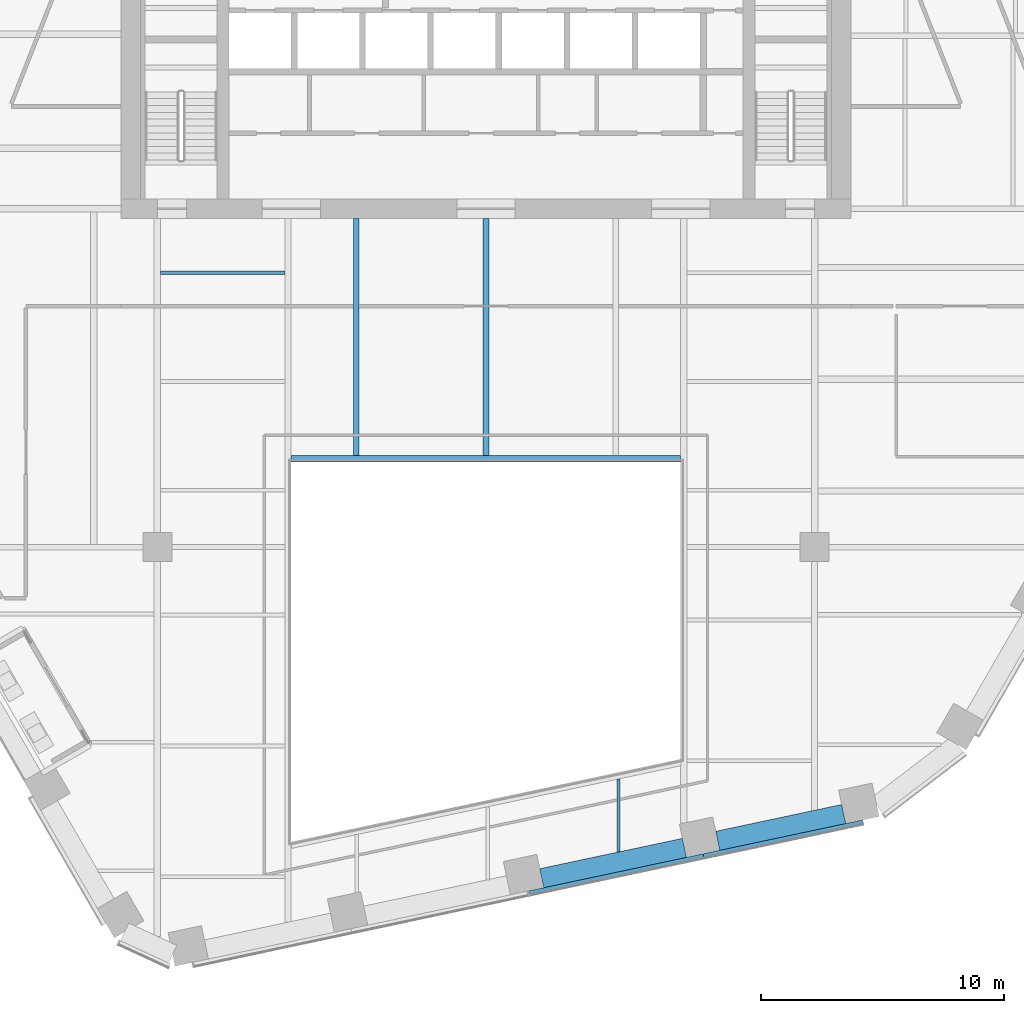
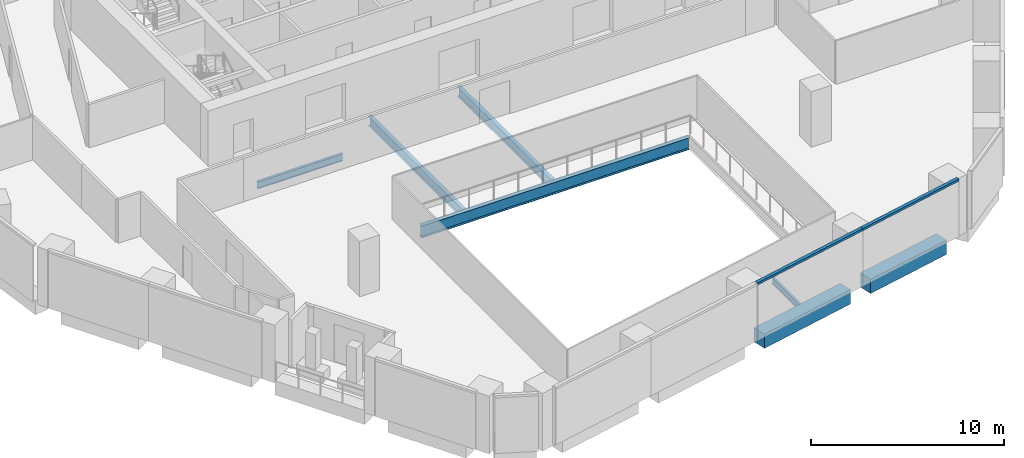
# One storey, part 5 of 26: 7 beams, 2 members, 1 element without a shape of its own.
"""IFC4 building model written with IfcOpenShell, lengths in metres."""

import ifcopenshell
import ifcopenshell.guid

model = None  # the IFC model being written
_history = None  # IfcOwnerHistory: only IFC2X3 demands one
_inside = {}  # id of a spatial element -> (the spatial element, [elements in it])
_under = {}  # id of a project, library or spatial element -> (it, [spatial elements below it])
_declared = {}  # id of a project -> (the project, [libraries it declares])
_typed = {}  # id of a type object -> (the type object, [elements of that type])
_made_of = {}  # id of a material, layer set ... -> (it, [elements and type objects made of it])


def new_model(schema):
    """Start an empty IFC model of exactly this schema.

    Asked for "IFC4X3", IfcOpenShell would pick the latest addendum, in which some entities
    have other attributes; the version numbers below select the first issue.
    IFC2X3 requires an IfcOwnerHistory on every rooted entity: one is made here for all.
    """
    global model, _history
    if schema == "IFC4X3":
        model = ifcopenshell.file(schema_version=(4, 3, 0, 0))
    else:
        model = ifcopenshell.file(schema=schema)
    _inside.clear()
    _under.clear()
    _declared.clear()
    _typed.clear()
    _made_of.clear()
    _history = None
    if model.schema == "IFC2X3":
        org = make("IfcOrganization", Name="unknown")
        user = make(
            "IfcPersonAndOrganization",
            ThePerson=make("IfcPerson", FamilyName="unknown"),
            TheOrganization=org,
        )
        app = make(
            "IfcApplication",
            ApplicationDeveloper=org,
            Version="unknown",
            ApplicationFullName="unknown",
            ApplicationIdentifier="unknown",
        )
        _history = make(
            "IfcOwnerHistory",
            OwningUser=user,
            OwningApplication=app,
            ChangeAction="ADDED",
            CreationDate=0,
        )
    return model


def make(cls, **values):
    """One entity of the class cls with the attributes given. An attribute that is None is left unset."""
    return model.create_entity(
        cls, **{name: value for name, value in values.items() if value is not None}
    )


def rooted(cls, **values):
    """An entity with a GlobalId (a new one), such as an element, a storey or a relation."""
    return make(cls, GlobalId=ifcopenshell.guid.new(), OwnerHistory=_history, **values)


def si_unit(unit_type, name, prefix=None):
    """IfcSIUnit, for example si_unit("LENGTHUNIT", "METRE", prefix="MILLI")."""
    return make("IfcSIUnit", UnitType=unit_type, Prefix=prefix, Name=name)


def assignment(units):
    """IfcUnitAssignment: the units of a project."""
    return None if units is None else make("IfcUnitAssignment", Units=units)


def point(xyz):
    """IfcCartesianPoint."""
    return None if xyz is None else make("IfcCartesianPoint", Coordinates=xyz)


def direction(xyz):
    """IfcDirection."""
    return None if xyz is None else make("IfcDirection", DirectionRatios=xyz)


def frame(location, z_axis=None, x_axis=None):
    """IfcAxis2Placement3D, a coordinate frame: its origin and axes. An axis left out is left unset."""
    return make(
        "IfcAxis2Placement3D",
        Location=point(location),
        Axis=direction(z_axis),
        RefDirection=direction(x_axis),
    )


def frame_2d(location, x_axis=None):
    """IfcAxis2Placement2D, a coordinate frame in the plane: its origin and x axis."""
    return make(
        "IfcAxis2Placement2D", Location=point(location), RefDirection=direction(x_axis)
    )


def origin():
    """The frame at (0, 0, 0) with its axes left unset."""
    return frame((0.0, 0.0, 0.0))


def origin_2d():
    """The frame at (0, 0) in the plane with its x axis left unset."""
    return frame_2d((0.0, 0.0))


def place(relative_to, where):
    """IfcLocalPlacement: puts the frame where relative to a parent placement (None: the world)."""
    return make(
        "IfcLocalPlacement", PlacementRelTo=relative_to, RelativePlacement=where
    )


def context(
    kind, dimensions, precision=None, world=None, true_north=None, identifier=None
):
    """IfcGeometricRepresentationContext, for example the 3D "Model" context."""
    return make(
        "IfcGeometricRepresentationContext",
        ContextIdentifier=identifier,
        ContextType=kind,
        CoordinateSpaceDimension=dimensions,
        Precision=precision,
        WorldCoordinateSystem=world,
        TrueNorth=true_north,
    )


def subcontext(parent, identifier, kind, view, scale=None):
    """IfcGeometricRepresentationSubContext, for example "Body" below "Model"."""
    return make(
        "IfcGeometricRepresentationSubContext",
        ContextIdentifier=identifier,
        ContextType=kind,
        ParentContext=parent,
        TargetScale=scale,
        TargetView=view,
    )


def project(units=None, contexts=None):
    """IfcProject with its units and contexts."""
    return rooted(
        "IfcProject",
        Name="project",
        RepresentationContexts=contexts,
        UnitsInContext=assignment(units),
    )


def spatial(cls, under=None, at=None, **own):
    """A site, building, storey or space (cls), placed at a placement, below another one or the project."""
    s = rooted(cls, ObjectPlacement=at, **own)
    if under is not None:
        _under.setdefault(under.id(), (under, []))[1].append(s)
    return s


def profile(cls, at=None, kind="AREA", **sizes):
    """A parametric profile (cls). Its sizes go by their IFC names, for example OverallWidth=200.0."""
    return make(cls, ProfileType=kind, Position=at, **sizes)


def rectangle(**sizes):
    """IfcRectangleProfileDef."""
    return profile("IfcRectangleProfileDef", **sizes)


def i_section(**sizes):
    """IfcIShapeProfileDef."""
    return profile("IfcIShapeProfileDef", **sizes)


def extrude(swept, where, along, depth):
    """IfcExtrudedAreaSolid: the profile swept, set in the frame where, extruded along a direction by depth."""
    return make(
        "IfcExtrudedAreaSolid",
        SweptArea=swept,
        Position=where,
        ExtrudedDirection=direction(along),
        Depth=depth,
    )


def shape(context_of_items, identifier, shape_type, items):
    """IfcShapeRepresentation: the items that make up one representation, for example the "Body"."""
    return make(
        "IfcShapeRepresentation",
        ContextOfItems=context_of_items,
        RepresentationIdentifier=identifier,
        RepresentationType=shape_type,
        Items=items,
    )


def material(Name=None, Category=None):
    """IfcMaterial."""
    return make("IfcMaterial", Name=Name, Category=Category)


def layer(
    of_material, thickness, ventilated=None, Name=None, Category=None, Priority=None
):
    """IfcMaterialLayer: one layer of a wall or slab, of a material (None: an air gap)."""
    return make(
        "IfcMaterialLayer",
        Material=of_material,
        LayerThickness=thickness,
        IsVentilated=ventilated,
        Name=Name,
        Category=Category,
        Priority=Priority,
    )


def layer_set(layers, Name=None):
    """IfcMaterialLayerSet."""
    return make("IfcMaterialLayerSet", MaterialLayers=layers, LayerSetName=Name)


def material_profile(
    of_material, cross_section, Name=None, Category=None, Priority=None
):
    """IfcMaterialProfile: a cross section and its material."""
    return make(
        "IfcMaterialProfile",
        Name=Name,
        Material=of_material,
        Profile=cross_section,
        Priority=Priority,
        Category=Category,
    )


def profile_set(profiles, Name=None, composite=None):
    """IfcMaterialProfileSet."""
    return make(
        "IfcMaterialProfileSet",
        Name=Name,
        MaterialProfiles=profiles,
        CompositeProfile=composite,
    )


def made_of(thing, what):
    """Note that an element or type object is made of a material, layer set ...; save() writes the relation."""
    if what is not None:
        _made_of.setdefault(what.id(), (what, []))[1].append(thing)
    return thing


def type_object(cls, material=None, **own):
    """A type object (cls), such as IfcWallType, which elements share."""
    return made_of(rooted(cls, **own), material)


def element(
    cls,
    number,
    at=None,
    inside=None,
    cuts=None,
    type_object=None,
    material=None,
    context=None,
    identifier="Body",
    shape_type=None,
    held_by="IfcProductDefinitionShape",
    body=None,
    shapes=None,
    **own,
):
    """One element of the class cls, such as IfcWall. Its Tag is "e" and its number.

    at: its placement. inside: the storey or other place that contains it. cuts: it is an
    opening in that element (IfcRelVoidsElement). A single representation is given by context,
    identifier, shape_type and body (its items); several are given by shapes. held_by: the class
    of the entity that holds the representations. save() writes the other relations.
    """
    e = rooted(cls, Tag="e%d" % number, ObjectPlacement=at, **own)
    if body is not None:
        shapes = [shape(context, identifier, shape_type, body)]
    if shapes is not None:
        e.Representation = make(held_by, Representations=shapes)
    if inside is not None:
        _inside.setdefault(inside.id(), (inside, []))[1].append(e)
    if cuts is not None:
        rooted(
            "IfcRelVoidsElement", RelatingBuildingElement=cuts, RelatedOpeningElement=e
        )
    if type_object is not None:
        _typed.setdefault(type_object.id(), (type_object, []))[1].append(e)
    return made_of(e, material)


def aggregate(whole, parts):
    """IfcRelAggregates: a whole, such as a stair, and the parts it consists of."""
    return rooted("IfcRelAggregates", RelatingObject=whole, RelatedObjects=parts)


def save(model, path):
    """Write the relations noted so far, then the file.

    IfcRelAggregates (storeys below a building ...), IfcRelContainedInSpatialStructure (elements
    in a storey), IfcRelDefinesByType, IfcRelAssociatesMaterial and IfcRelDeclares: one each for
    every whole, place, type object, material and project.
    """
    for whole, parts in _under.values():
        aggregate(whole, parts)
    for where, things in _inside.values():
        rooted(
            "IfcRelContainedInSpatialStructure",
            RelatedElements=things,
            RelatingStructure=where,
        )
    for kind, things in _typed.values():
        rooted("IfcRelDefinesByType", RelatedObjects=things, RelatingType=kind)
    for what, things in _made_of.values():
        rooted("IfcRelAssociatesMaterial", RelatedObjects=things, RelatingMaterial=what)
    for by, libraries in _declared.values():
        rooted("IfcRelDeclares", RelatingContext=by, RelatedDefinitions=libraries)
    model.write(path)


model = new_model("IFC4")

# Units and contexts
model_context = context("Model", 3, precision=1e-05, world=origin(), true_north=direction((0.0, 1.0)))
body_context = subcontext(model_context, "Body", "Model", "MODEL_VIEW")
ifc_project = project(units=[si_unit("LENGTHUNIT", "METRE"), si_unit("AREAUNIT", "SQUARE_METRE"), si_unit("VOLUMEUNIT", "CUBIC_METRE"), si_unit("PLANEANGLEUNIT", "RADIAN"), si_unit("MASSUNIT", "GRAM", prefix="KILO")], contexts=[model_context])

# Site, building, storey
site_placement = place(None, origin())
site = spatial("IfcSite", under=ifc_project, at=site_placement, CompositionType="ELEMENT")
building_placement = place(site_placement, origin())
building = spatial("IfcBuilding", under=site, at=building_placement, Name="Isthmus Gate Tower", CompositionType="ELEMENT")
storey_placement = place(building_placement, frame((0.0, 0.0, 129.800048828125)))
storey = spatial("IfcBuildingStorey", under=building, at=storey_placement, Name="L31", CompositionType="ELEMENT", Elevation=129.800048828125)

# Curtain wall, members
ifc_material_1 = material(Name="Aluminium, pale champagne anodised", Category="aluminium")
ifc_layer = layer(ifc_material_1, 0.199951171875)
ifc_layer_set = layer_set([ifc_layer], Name="CW-1 UNITISED CURTAIN WALL 200 DEEP")
curtain_wall_type = type_object("IfcCurtainWallType", Name="CW-1 UNITISED CURTAIN WALL 200 DEEP", PredefinedType="NOTDEFINED", material=ifc_layer_set)
curtain_wall_placement = place(storey_placement, origin())
curtain_wall = element("IfcCurtainWall", 1, at=curtain_wall_placement, inside=storey, type_object=curtain_wall_type, Name="CW-1 S L31", PredefinedType="NOTDEFINED")
ifc_material_2 = material(Name="Aluminium, pale champagne anodised", Category="aluminium")
ifc_material_profile_1 = material_profile(ifc_material_2, rectangle(XDim=0.199951171875, YDim=0.139892578125, at=origin_2d()), Name="200x140")
ifc_profile_set_1 = profile_set([ifc_material_profile_1], Name="Aluminium, pale champagne anodised")
member_type = type_object("IfcMemberType", Name="CW-1 TRANSOM 200 X 140", PredefinedType="USERDEFINED", material=ifc_profile_set_1)
member_1_placement = place(storey_placement, frame((1.76953125, -27.72607421875, 3.579833984375), z_axis=(0.978146152746, 0.207918502948, 0.0), x_axis=(-0.207918502948, 0.978146152746, 0.0)))
member_1 = element("IfcMember", 2, at=member_1_placement, type_object=member_type, Name="CW-1 transom", ObjectType="TRANSOM", PredefinedType="USERDEFINED", context=body_context, shape_type="SweptSolid", body=[
    extrude(rectangle(XDim=0.199951171875, YDim=0.139892578125, at=origin_2d()), origin(), (0.0, 0.0, 1.0), 7.33056640625),
])
member_2_placement = place(storey_placement, frame((8.93994140625, -26.201904296875, 3.579833984375), z_axis=(0.978147628551, 0.207911559946, 0.0), x_axis=(-0.207911559946, 0.978147628551, 0.0)))
member_2 = element("IfcMember", 3, at=member_2_placement, type_object=member_type, Name="CW-1 transom", ObjectType="TRANSOM", PredefinedType="USERDEFINED", context=body_context, shape_type="SweptSolid", body=[
    extrude(rectangle(XDim=0.199951171875, YDim=0.139892578125, at=origin_2d()), origin(), (0.0, 0.0, 1.0), 6.69091796875),
])
aggregate(curtain_wall, [member_1, member_2])

# Beams
ifc_material_3 = material(Name="Concrete f'c 60 MPa", Category="concrete")
ifc_material_profile_2 = material_profile(ifc_material_3, rectangle(XDim=0.800048828125, YDim=0.89990234375, at=origin_2d()), Name="RC 800X900")
ifc_profile_set_2 = profile_set([ifc_material_profile_2], Name="Concrete f'c 60 MPa")
beam_type_1 = type_object("IfcBeamType", Name="RC SPANDREL 800 X 900", PredefinedType="SPANDREL", material=ifc_profile_set_2)
beam_1_placement = place(storey_placement, frame((14.696044921875, -24.46728515625, -0.449951171875), z_axis=(-0.978145479826, -0.207921668653, 0.0), x_axis=(0.207921668653, -0.978145479826, 0.0)))
element("IfcBeam", 4, at=beam_1_placement, inside=storey, type_object=beam_type_1, Name="str-spandrel-L31-11", PredefinedType="SPANDREL", context=body_context, shape_type="SweptSolid", body=[
    extrude(rectangle(XDim=0.800048828125, YDim=0.89990234375, at=origin_2d()), origin(), (0.0, 0.0, 1.0), 5.291015625),
])
beam_2_placement = place(storey_placement, frame((8.1513671875, -25.8583984375, -0.449951171875), z_axis=(-0.978145798872, -0.20792016773, 0.0), x_axis=(0.20792016773, -0.978145798872, 0.0)))
element("IfcBeam", 5, at=beam_2_placement, inside=storey, type_object=beam_type_1, Name="str-spandrel-L31-12", PredefinedType="SPANDREL", context=body_context, shape_type="SweptSolid", body=[
    extrude(rectangle(XDim=0.800048828125, YDim=0.89990234375, at=origin_2d()), origin(), (0.0, 0.0, 1.0), 5.99072265625),
])
ifc_material_4 = material(Name="Structural steel ASTM A992 Gr 50", Category="steel")
ifc_material_profile_3 = material_profile(ifc_material_4, i_section(OverallWidth=0.1396484375, OverallDepth=0.4033203125, WebThickness=0.00634765625, FlangeThickness=0.010986328125, at=origin_2d()), Name="W16X31")
ifc_profile_set_3 = profile_set([ifc_material_profile_3], Name="Structural steel ASTM A992 Gr 50")
beam_type_2 = type_object("IfcBeamType", Name="STEEL FLOOR BEAM W16X31", PredefinedType="JOIST", material=ifc_profile_set_3)
beam_3_placement = place(storey_placement, frame((5.443115234375, -26.025146484375, -0.3515625), z_axis=(0.0, 1.0, 0.0), x_axis=(-1.0, 0.0, 0.0)))
element("IfcBeam", 6, at=beam_3_placement, inside=storey, type_object=beam_type_2, Name="str-beam-L31-10-02", PredefinedType="JOIST", context=body_context, shape_type="SweptSolid", body=[
    extrude(i_section(OverallWidth=0.1396484375, OverallDepth=0.4033203125, WebThickness=0.00634765625, FlangeThickness=0.010986328125, at=origin_2d()), origin(), (0.0, 0.0, 1.0), 2.998779296875),
])
ifc_material_5 = material(Name="Structural steel ASTM A992 Gr 50", Category="steel")
ifc_material_profile_4 = material_profile(ifc_material_5, i_section(OverallWidth=0.15234375, OverallDepth=0.45068359375, WebThickness=0.0078125, FlangeThickness=0.010986328125, at=origin_2d()), Name="W18X35")
ifc_profile_set_4 = profile_set([ifc_material_profile_4], Name="Structural steel ASTM A992 Gr 50")
beam_type_3 = type_object("IfcBeamType", Name="STEEL FLOOR BEAM W18X35", PredefinedType="JOIST", material=ifc_profile_set_4)
beam_4_placement = place(storey_placement, frame((-13.3681640625, -2.232421875, -0.37548828125), z_axis=(1.0, 0.0, 0.0), x_axis=(0.0, 1.0, 0.0)))
element("IfcBeam", 7, at=beam_4_placement, inside=storey, type_object=beam_type_3, Name="str-beam-L31-06-02", PredefinedType="JOIST", context=body_context, shape_type="SweptSolid", body=[
    extrude(i_section(OverallWidth=0.15234375, OverallDepth=0.45068359375, WebThickness=0.0078125, FlangeThickness=0.010986328125, at=origin_2d()), origin(), (0.0, 0.0, 1.0), 5.1015625),
])
ifc_material_6 = material(Name="Structural steel ASTM A992 Gr 50", Category="steel")
ifc_material_profile_5 = material_profile(ifc_material_6, i_section(OverallWidth=0.228515625, OverallDepth=0.603271484375, WebThickness=0.010986328125, FlangeThickness=0.014404296875, at=origin_2d()), Name="W24X68")
ifc_profile_set_5 = profile_set([ifc_material_profile_5], Name="Structural steel ASTM A992 Gr 50")
beam_type_4 = type_object("IfcBeamType", Name="STEEL FLOOR BEAM W24X68", PredefinedType="JOIST", material=ifc_profile_set_5)
for number, where, z_axis, x_axis, name in (
    (8, (-5.333251953125, -9.7333984375, -0.45166015625), (0.0, 1.0, 0.0), (-1.0, 0.0, 0.0), "str-beam-L31-09-00"),
    (9, (0.0, -9.7333984375, -0.45166015625), (0.0, 1.0, 0.0), (-1.0, 0.0, 0.0), "str-beam-L31-09-01"),
):
    element("IfcBeam", number, at=place(storey_placement, frame(where, z_axis=z_axis, x_axis=x_axis)), inside=storey, type_object=beam_type_4, Name=name, PredefinedType="JOIST", context=body_context, shape_type="SweptSolid", body=[
        extrude(i_section(OverallWidth=0.228515625, OverallDepth=0.603271484375, WebThickness=0.010986328125, FlangeThickness=0.014404296875, at=origin_2d()), origin(), (0.0, 0.0, 1.0), 9.7333984375),
    ])
ifc_material_7 = material(Name="Structural steel ASTM A992 Gr 50", Category="steel")
ifc_material_profile_6 = material_profile(ifc_material_7, i_section(OverallWidth=0.2666015625, OverallDepth=0.7587890625, WebThickness=0.014404296875, FlangeThickness=0.01904296875, at=origin_2d()), Name="W30X108")
ifc_profile_set_6 = profile_set([ifc_material_profile_6], Name="Structural steel ASTM A992 Gr 50")
beam_type_5 = type_object("IfcBeamType", Name="STEEL TRIMMER W30X108", PredefinedType="BEAM", material=ifc_profile_set_6)
beam_5_placement = place(storey_placement, frame((8.0, -9.86669921875, -0.529541015625), z_axis=(-1.0, 0.0, 0.0), x_axis=(0.0, -1.0, 0.0)))
element("IfcBeam", 10, at=beam_5_placement, inside=storey, type_object=beam_type_5, Name="str-trimmer-L31-04", PredefinedType="BEAM", context=body_context, shape_type="SweptSolid", body=[
    extrude(i_section(OverallWidth=0.2666015625, OverallDepth=0.7587890625, WebThickness=0.014404296875, FlangeThickness=0.01904296875, at=origin_2d()), origin(), (0.0, 0.0, 1.0), 16.0),
])

save(model, "model.ifc")
